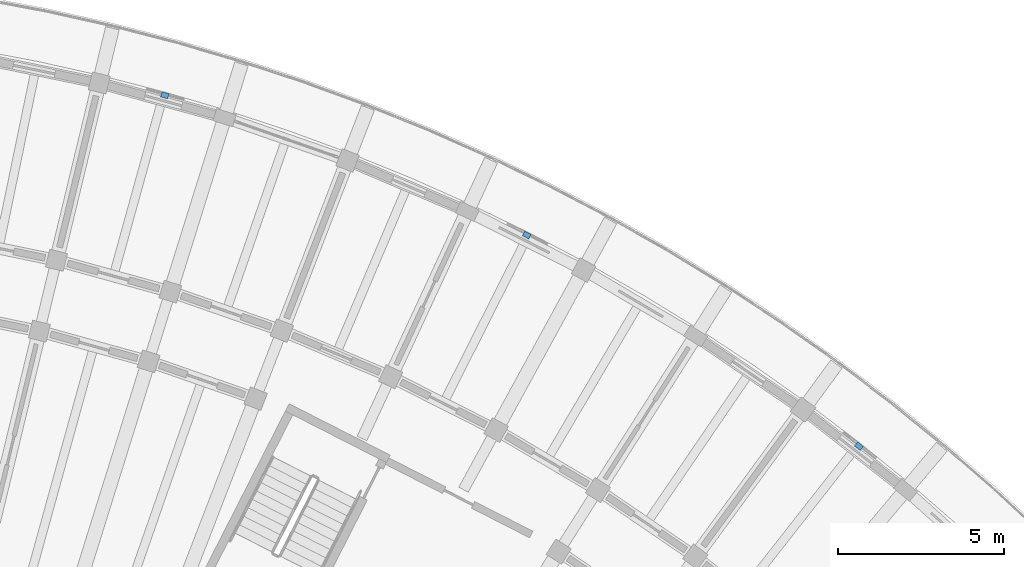
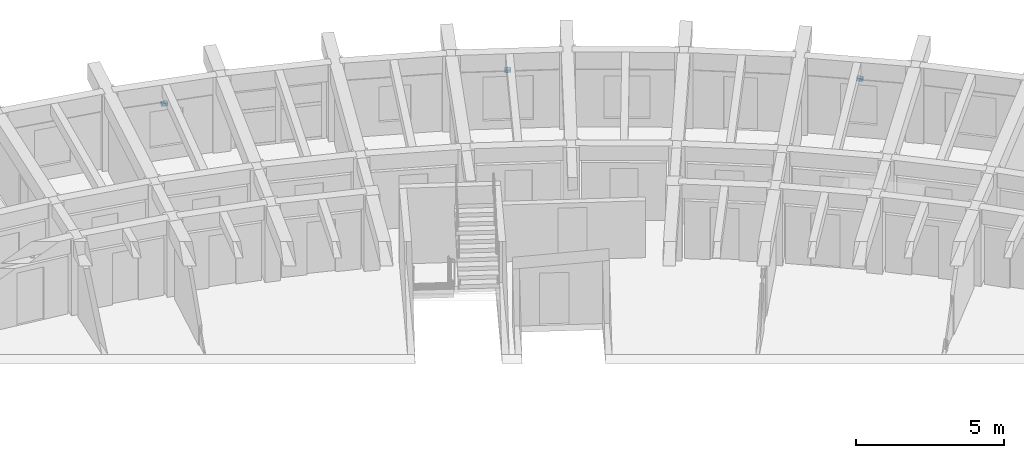
# One storey, part 60 of 78: 3 discrete accessories.
"""IFC4 building model written with IfcOpenShell, lengths in metres."""

from ifc_helpers import new_model, si_unit, direction, frame, origin, origin_2d, place, context, subcontext, project, spatial, rectangle, extrude, material, type_object, element, save


model = new_model("IFC4")

# Units and contexts
model_context = context("Model", 3, precision=1e-05, world=origin(), true_north=direction((0.0, 1.0)))
body_context = subcontext(model_context, "Body", "Model", "MODEL_VIEW")
ifc_project = project(units=[si_unit("LENGTHUNIT", "METRE"), si_unit("AREAUNIT", "SQUARE_METRE"), si_unit("VOLUMEUNIT", "CUBIC_METRE"), si_unit("PLANEANGLEUNIT", "RADIAN"), si_unit("MASSUNIT", "GRAM", prefix="KILO")], contexts=[model_context])

# Site, building, storey
site_placement = place(None, origin())
site = spatial("IfcSite", under=ifc_project, at=site_placement, CompositionType="ELEMENT")
building_placement = place(site_placement, origin())
building = spatial("IfcBuilding", under=site, at=building_placement, Name="Tanwirah Colonnade Gardens", CompositionType="ELEMENT")
storey_placement = place(building_placement, frame((0.0, 0.0, 22.280029296875)))
storey = spatial("IfcBuildingStorey", under=building, at=storey_placement, Name="L06", CompositionType="ELEMENT", Elevation=22.280029296875)

# Discrete accessories
ifc_material = material(Name="Steel S355", Category="steel")
discrete_accessory_type = type_object("IfcDiscreteAccessoryType", Name="BRK-SS1", PredefinedType="BRACKET", material=ifc_material)
for number, where, z_axis, x_axis, name in (
    (1, (157.8720703125, 107.136962890625, 2.14990234375), (0.0, 0.0, 1.0), (-0.786816013383, 0.617187622271, 0.0), "Solar screen support bracket B-L06-09"),
    (2, (147.853271484375, 113.505859375, 2.14990234375), (0.0, 0.0, 1.0), (-0.892759988233, 0.450532577524, 0.0), "Solar screen support bracket B-L06-12"),
    (3, (136.93603515625, 117.720947265625, 2.034912109375), (0.0, 0.0, 1.0), (-0.963888748144, 0.266305240659, 0.0), "Solar screen support bracket B-L06-15"),
):
    element("IfcDiscreteAccessory", number, at=place(storey_placement, frame(where, z_axis=z_axis, x_axis=x_axis)), inside=storey, type_object=discrete_accessory_type, Name=name, PredefinedType="BRACKET", context=body_context, shape_type="SweptSolid", body=[
        extrude(rectangle(XDim=0.219970703125, YDim=0.159912109375, at=origin_2d()), origin(), (0.0, 0.0, 1.0), 0.1201171875),
    ])

save(model, "model.ifc")
